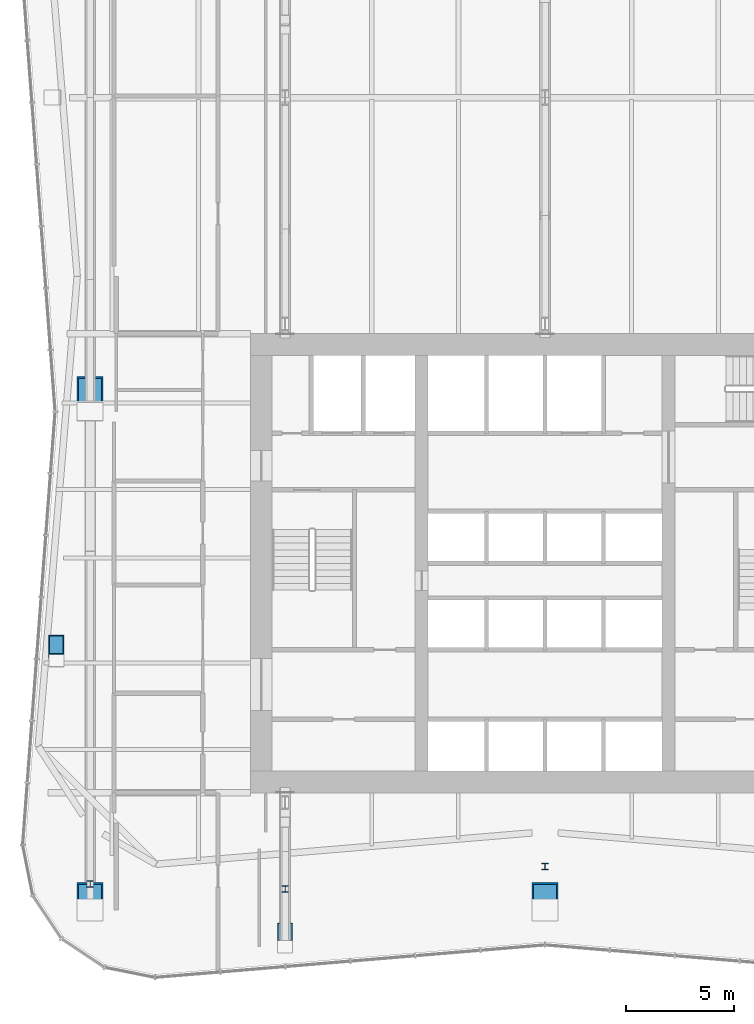
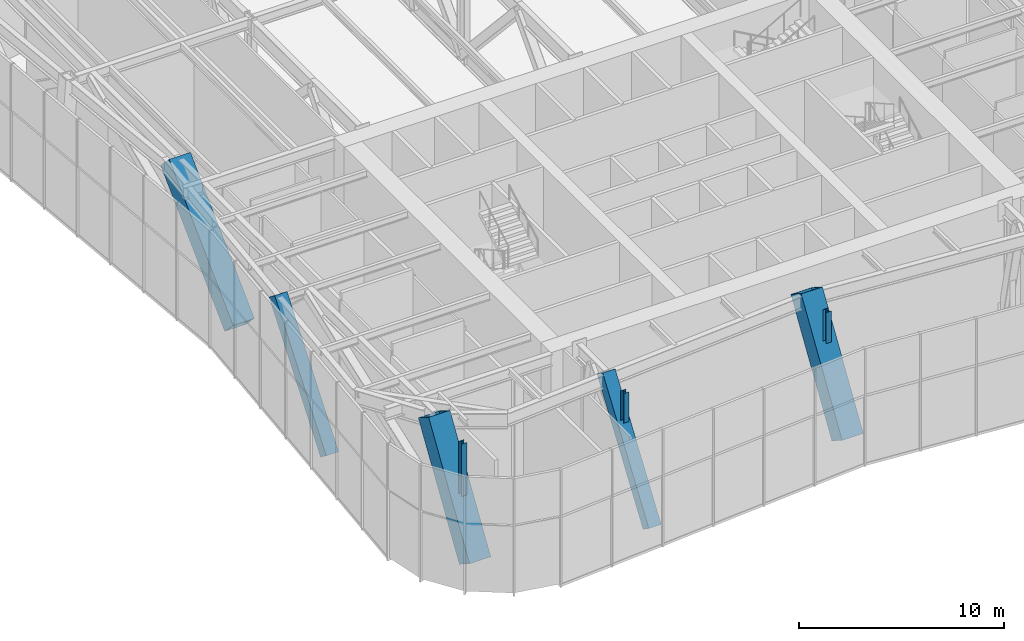
# One storey, part 1 of 16: 8 columns.
"""IFC4 building model written with IfcOpenShell, lengths in metres."""

from ifc_helpers import new_model, si_unit, direction, frame, origin, origin_2d, place, context, subcontext, project, spatial, hollow_rectangle, i_section, extrude, material, material_profile, profile_set, type_object, element, save


model = new_model("IFC4")

# Units and contexts
model_context = context("Model", 3, precision=1e-05, world=origin(), true_north=direction((0.0, 1.0)))
body_context = subcontext(model_context, "Body", "Model", "MODEL_VIEW")
ifc_project = project(units=[si_unit("LENGTHUNIT", "METRE"), si_unit("AREAUNIT", "SQUARE_METRE"), si_unit("VOLUMEUNIT", "CUBIC_METRE"), si_unit("PLANEANGLEUNIT", "RADIAN"), si_unit("MASSUNIT", "GRAM", prefix="KILO")], contexts=[model_context])

# Site, building, storey
site_placement = place(None, origin())
site = spatial("IfcSite", under=ifc_project, at=site_placement, CompositionType="ELEMENT")
building_placement = place(site_placement, origin())
building = spatial("IfcBuilding", under=site, at=building_placement, Name="Verdant Reach Tower", CompositionType="ELEMENT")
storey_placement = place(building_placement, frame((0.0, 0.0, 170.0)))
storey = spatial("IfcBuildingStorey", under=building, at=storey_placement, Name="L39 Plant", CompositionType="ELEMENT", Elevation=170.0)

# Columns
ifc_material = material(Name="Steel S460", Category="steel")
ifc_material_profile_1 = material_profile(ifc_material, hollow_rectangle(XDim=1.199951171875, YDim=1.199951171875, WallThickness=0.070068359375, at=origin_2d()), Name="WB 1200x1200x70")
ifc_profile_set_1 = profile_set([ifc_material_profile_1], Name="Steel S460")
column_type_1 = type_object("IfcColumnType", Name="ST-COL-WB1200x1200x70", PredefinedType="COLUMN", material=ifc_profile_set_1)
for number, where, z_axis, x_axis, name in (
    (1, (0.0, 12.0, 0.34521484375), (0.0, 0.535428326995, 0.84458066912), (-1.0, 0.0, 0.0), "Mega column south, L39 Plant"),
    (2, (-21.0, 12.0, 0.34521484375), (0.0, 0.535428326995, 0.84458066912), (-1.0, 0.0, 0.0), "Mega column south-west, L39 Plant"),
):
    element("IfcColumn", number, at=place(storey_placement, frame(where, z_axis=z_axis, x_axis=x_axis)), inside=storey, type_object=column_type_1, Name=name, PredefinedType="COLUMN", context=body_context, shape_type="SweptSolid", body=[
        extrude(hollow_rectangle(XDim=1.199951171875, YDim=1.199951171875, WallThickness=0.070068359375, at=origin_2d()), origin(), (0.0, 0.0, 1.0), 7.470703125),
    ])
column_1_placement = place(storey_placement, frame((-21.0, 35.0, 0.446044921875), z_axis=(0.0, 0.715189741462, 0.698930349683), x_axis=(-1.0, 0.0, 0.0)))
element("IfcColumn", 3, at=column_1_placement, inside=storey, type_object=column_type_1, Name="Mega column west, L39 Plant", PredefinedType="COLUMN", context=body_context, shape_type="SweptSolid", body=[
    extrude(hollow_rectangle(XDim=1.199951171875, YDim=1.199951171875, WallThickness=0.070068359375, at=origin_2d()), origin(), (0.0, 0.0, 1.0), 8.739013671875),
])
ifc_material_profile_2 = material_profile(ifc_material, hollow_rectangle(XDim=0.699951171875, YDim=0.699951171875, WallThickness=0.030029296875, at=origin_2d()), Name="WB 700x700x30")
ifc_profile_set_2 = profile_set([ifc_material_profile_2], Name="Steel S460")
column_type_2 = type_object("IfcColumnType", Name="ST-COL-WB700x700x30", PredefinedType="COLUMN", material=ifc_profile_set_2)
column_2_placement = place(storey_placement, frame((-12.0, 10.300048828125, 0.2255859375), z_axis=(0.0, 0.566330599135, 0.824178167925), x_axis=(-1.0, 0.0, 0.0)))
element("IfcColumn", 4, at=column_2_placement, inside=storey, type_object=column_type_2, Name="Perimeter column south 1, L39 Plant", PredefinedType="COLUMN", context=body_context, shape_type="SweptSolid", body=[
    extrude(hollow_rectangle(XDim=0.699951171875, YDim=0.699951171875, WallThickness=0.030029296875, at=origin_2d()), origin(), (0.0, 0.0, 1.0), 7.94580078125),
])
column_3_placement = place(storey_placement, frame((-22.5625, 23.5, 0.240478515625), z_axis=(-0.002050420952, 0.608588711452, 0.793483192051), x_axis=(-0.999994324494, -0.003369121503, 0.0)))
element("IfcColumn", 5, at=column_3_placement, inside=storey, type_object=column_type_2, Name="Perimeter column west 1, L39 Plant", PredefinedType="COLUMN", context=body_context, shape_type="SweptSolid", body=[
    extrude(hollow_rectangle(XDim=0.699951171875, YDim=0.699951171875, WallThickness=0.030029296875, at=origin_2d()), origin(), (0.0, 0.0, 1.0), 8.2158203125),
])
ifc_material_profile_3 = material_profile(ifc_material, i_section(OverallWidth=0.300048828125, OverallDepth=0.300048828125, WebThickness=0.010986328125, FlangeThickness=0.01904296875, FilletRadius=0.027099609375, at=origin_2d()), Name="HEB 300")
ifc_profile_set_3 = profile_set([ifc_material_profile_3], Name="Steel S460")
column_type_3 = type_object("IfcColumnType", Name="ST-DECK-POST-HEB300", PredefinedType="COLUMN", material=ifc_profile_set_3)
column_4_placement = place(storey_placement, frame((0.0, 13.993408203125, 4.846435546875), z_axis=(0.0, 0.0, 1.0), x_axis=(1.0, 0.0, 0.0)))
element("IfcColumn", 6, at=column_4_placement, inside=storey, type_object=column_type_3, Name="Terrace deck post, column M-S, L39 Plant", PredefinedType="COLUMN", context=body_context, shape_type="SweptSolid", body=[
    extrude(i_section(OverallWidth=0.300048828125, OverallDepth=0.300048828125, WebThickness=0.010986328125, FlangeThickness=0.01904296875, FilletRadius=0.027099609375, at=origin_2d()), origin(), (0.0, 0.0, 1.0), 1.853515625),
])
column_5_placement = place(storey_placement, frame((-21.0, 13.193359375, 3.584716796875), z_axis=(0.0, 0.0, 1.0), x_axis=(1.0, 0.0, 0.0)))
element("IfcColumn", 7, at=column_5_placement, inside=storey, type_object=column_type_3, Name="Terrace deck post, column M-SW, L39 Plant", PredefinedType="COLUMN", context=body_context, shape_type="SweptSolid", body=[
    extrude(i_section(OverallWidth=0.300048828125, OverallDepth=0.300048828125, WebThickness=0.010986328125, FlangeThickness=0.01904296875, FilletRadius=0.027099609375, at=origin_2d()), origin(), (0.0, 0.0, 1.0), 3.115234375),
])
column_6_placement = place(storey_placement, frame((-12.0, 12.96142578125, 4.935302734375), z_axis=(0.0, 0.0, 1.0), x_axis=(1.0, 0.0, 0.0)))
element("IfcColumn", 8, at=column_6_placement, inside=storey, type_object=column_type_3, Name="Terrace deck post, column P-S1, L39 Plant", PredefinedType="COLUMN", context=body_context, shape_type="SweptSolid", body=[
    extrude(i_section(OverallWidth=0.300048828125, OverallDepth=0.300048828125, WebThickness=0.010986328125, FlangeThickness=0.01904296875, FilletRadius=0.027099609375, at=origin_2d()), origin(), (0.0, 0.0, 1.0), 1.7646484375),
])

save(model, "model.ifc")
